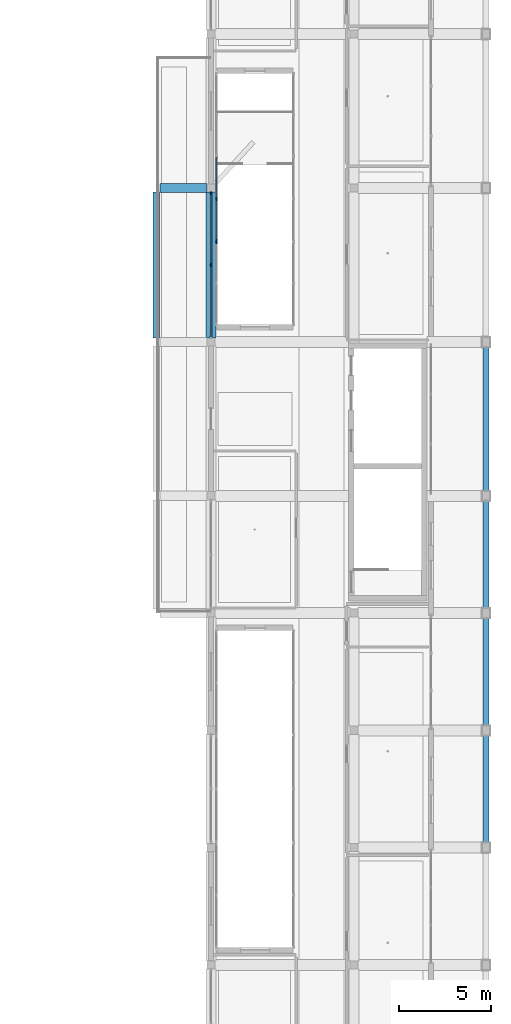
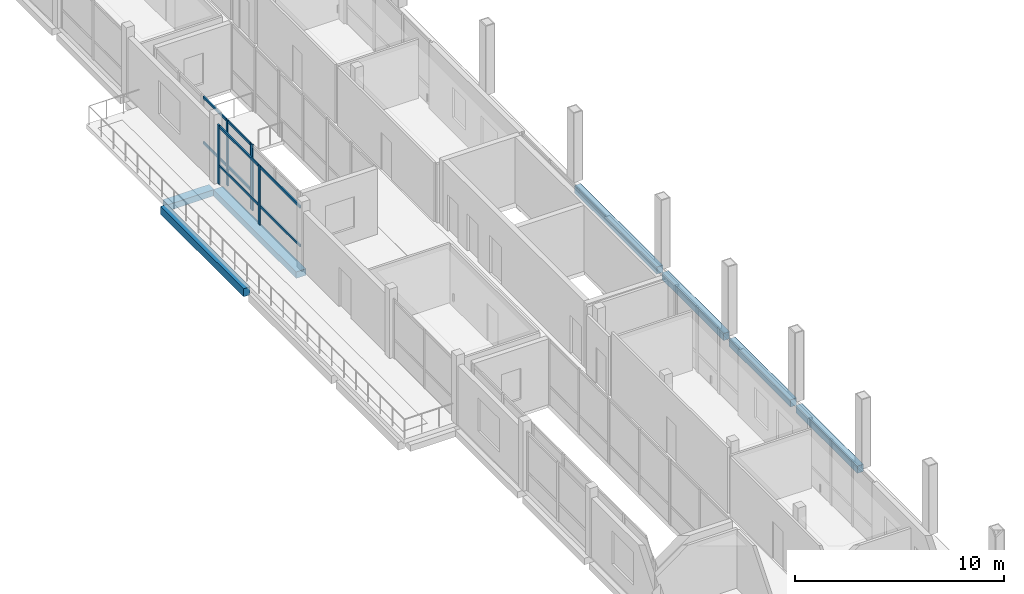
# One storey, part 12 of 48: 9 members, 7 beams, 3 elements without a shape of their own.
"""IFC4 building model written with IfcOpenShell, lengths in metres."""

from ifc_helpers import new_model, si_unit, derived_unit, direction, frame, origin, origin_2d, place, context, subcontext, project, spatial, rectangle, extrude, material, material_profile, profile_set, type_object, element, aggregate, save


model = new_model("IFC4")

# Units and contexts
model_context = context("Model", 3, precision=1e-05, world=origin(), true_north=direction((0.0, 1.0)))
body_context = subcontext(model_context, "Body", "Model", "MODEL_VIEW")
ifc_project = project(units=[si_unit("LENGTHUNIT", "METRE"), si_unit("AREAUNIT", "SQUARE_METRE"), si_unit("VOLUMEUNIT", "CUBIC_METRE"), si_unit("PLANEANGLEUNIT", "RADIAN"), si_unit("MASSUNIT", "GRAM", prefix="KILO"), derived_unit("THERMALTRANSMITTANCEUNIT", [(si_unit("POWERUNIT", "WATT"), 1), (si_unit("LENGTHUNIT", "METRE"), -2), (si_unit("THERMODYNAMICTEMPERATUREUNIT", "KELVIN"), -1)])], contexts=[model_context])

# Site, building, storey
site_placement = place(None, origin())
site = spatial("IfcSite", under=ifc_project, at=site_placement, CompositionType="ELEMENT")
building_placement = place(site_placement, origin())
building = spatial("IfcBuilding", under=site, at=building_placement, Name="Braskholm Square Health Centre", CompositionType="ELEMENT")
storey_placement = place(building_placement, frame((0.0, 0.0, 17.550048828125)))
storey = spatial("IfcBuildingStorey", under=building, at=storey_placement, Name="L05", CompositionType="ELEMENT", Elevation=17.550048828125)

# Curtain wall, members
ifc_material_1 = material(Name="Low-E triple insulating glass (VLT 0.64)", Category="glass")
curtain_wall_type_1 = type_object("IfcCurtainWallType", Name="UnitisedCurtainWall6200x3650", PredefinedType="NOTDEFINED", material=ifc_material_1)
curtain_wall_1_placement = place(storey_placement, origin())
curtain_wall_1 = element("IfcCurtainWall", 1, at=curtain_wall_1_placement, inside=storey, type_object=curtain_wall_type_1, Name="East Valley unitised curtain wall CW-L05-0141", PredefinedType="NOTDEFINED")
ifc_material_2 = material(Name="Architectural bronze anodised aluminium", Category="aluminium")
ifc_material_profile_1 = material_profile(ifc_material_2, rectangle(XDim=0.074951171875, YDim=0.179931640625, at=origin_2d()), Name="ALU-75X180")
ifc_profile_set_1 = profile_set([ifc_material_profile_1], Name="Architectural bronze anodised aluminium")
member_type_1 = type_object("IfcMemberType", Name="CurtainWallMullion75x180", PredefinedType="MULLION", material=ifc_profile_set_1)
member_1_placement = place(storey_placement, frame((148.800048828125, 71.91259765625, 0.0), z_axis=(0.0, 0.0, 1.0), x_axis=(1.0, 0.0, 0.0)))
member_1 = element("IfcMember", 2, at=member_1_placement, type_object=member_type_1, Name="CW-L05-0141 vertical mullion 1", PredefinedType="MULLION", context=body_context, shape_type="SweptSolid", body=[
    extrude(rectangle(XDim=0.074951171875, YDim=0.179931640625, at=origin_2d()), origin(), (0.0, 0.0, 1.0), 3.4599609375),
])
member_2_placement = place(storey_placement, frame((148.800048828125, 68.0, 0.0), z_axis=(0.0, 0.0, 1.0), x_axis=(1.0, 0.0, 0.0)))
member_2 = element("IfcMember", 3, at=member_2_placement, type_object=member_type_1, Name="CW-L05-0141 vertical mullion 2", PredefinedType="MULLION", context=body_context, shape_type="SweptSolid", body=[
    extrude(rectangle(XDim=0.074951171875, YDim=0.179931640625, at=origin_2d()), origin(), (0.0, 0.0, 1.0), 3.4599609375),
])

# Curtain wall, member
curtain_wall_type_2 = type_object("IfcCurtainWallType", Name="UnitisedCurtainWall4800x3800", PredefinedType="NOTDEFINED", material=ifc_material_1)
curtain_wall_2_placement = place(storey_placement, origin())
curtain_wall_2 = element("IfcCurtainWall", 4, at=curtain_wall_2_placement, inside=storey, type_object=curtain_wall_type_2, Name="EC2 Court W unitised curtain wall CW-L05-0375", PredefinedType="NOTDEFINED")
member_3_placement = place(storey_placement, frame((149.10009765625, 69.23486328125, 0.0), z_axis=(0.0, 0.0, 1.0), x_axis=(1.0, 0.0, 0.0)))
member_3 = element("IfcMember", 5, at=member_3_placement, type_object=member_type_1, Name="CW-L05-0375 vertical mullion 3", PredefinedType="MULLION", context=body_context, shape_type="SweptSolid", body=[
    extrude(rectangle(XDim=0.074951171875, YDim=0.179931640625, at=origin_2d()), origin(), (0.0, 0.0, 1.0), 3.83984375),
])
aggregate(curtain_wall_2, [member_3])

# Curtain wall, members
curtain_wall_3_placement = place(storey_placement, origin())
curtain_wall_3 = element("IfcCurtainWall", 6, at=curtain_wall_3_placement, inside=storey, type_object=curtain_wall_type_2, Name="EC2 Court W unitised curtain wall CW-L05-0377", PredefinedType="NOTDEFINED")
member_4_placement = place(storey_placement, frame((149.10009765625, 69.2998046875, 0.0), z_axis=(0.0, 0.0, 1.0), x_axis=(1.0, 0.0, 0.0)))
member_4 = element("IfcMember", 7, at=member_4_placement, type_object=member_type_1, Name="CW-L05-0377 vertical mullion 1", PredefinedType="MULLION", context=body_context, shape_type="SweptSolid", body=[
    extrude(rectangle(XDim=0.074951171875, YDim=0.179931640625, at=origin_2d()), origin(), (0.0, 0.0, 1.0), 3.83984375),
])
member_5_placement = place(storey_placement, frame((149.10009765625, 71.60009765625, 0.0), z_axis=(0.0, 0.0, 1.0), x_axis=(1.0, 0.0, 0.0)))
member_5 = element("IfcMember", 8, at=member_5_placement, type_object=member_type_1, Name="CW-L05-0377 vertical mullion 2", PredefinedType="MULLION", context=body_context, shape_type="SweptSolid", body=[
    extrude(rectangle(XDim=0.074951171875, YDim=0.179931640625, at=origin_2d()), origin(), (0.0, 0.0, 1.0), 3.83984375),
])

# Member
ifc_material_profile_2 = material_profile(ifc_material_2, rectangle(XDim=0.074951171875, YDim=0.139892578125, at=origin_2d()), Name="ALU-75X140")
ifc_profile_set_2 = profile_set([ifc_material_profile_2], Name="Architectural bronze anodised aluminium")
member_type_2 = type_object("IfcMemberType", Name="CurtainWallTransom75x140", PredefinedType="USERDEFINED", material=ifc_profile_set_2)
member_6_placement = place(storey_placement, frame((148.800048828125, 71.9150390625, 1.119873046875), z_axis=(0.0, -1.0, 0.0), x_axis=(1.0, 0.0, 0.0)))
member_6 = element("IfcMember", 9, at=member_6_placement, type_object=member_type_2, Name="CW-L05-0141 horizontal transom 1", ObjectType="TRANSOM", PredefinedType="USERDEFINED", context=body_context, shape_type="SweptSolid", body=[
    extrude(rectangle(XDim=0.074951171875, YDim=0.139892578125, at=origin_2d()), origin(), (0.0, 0.0, 1.0), 7.830078125),
])

member_7_placement = place(storey_placement, frame((148.800048828125, 71.9150390625, 3.389892578125), z_axis=(0.0, -1.0, 0.0), x_axis=(1.0, 0.0, 0.0)))
member_7 = element("IfcMember", 10, at=member_7_placement, type_object=member_type_2, Name="CW-L05-0141 horizontal transom 2", ObjectType="TRANSOM", PredefinedType="USERDEFINED", context=body_context, shape_type="SweptSolid", body=[
    extrude(rectangle(XDim=0.074951171875, YDim=0.139892578125, at=origin_2d()), origin(), (0.0, 0.0, 1.0), 7.830078125),
])

aggregate(curtain_wall_1, [member_1, member_2, member_6, member_7])

member_8_placement = place(storey_placement, frame((149.10009765625, 69.31689453125, 1.119873046875), z_axis=(0.0, 1.0, 0.0), x_axis=(-1.0, 0.0, 0.0)))
member_8 = element("IfcMember", 11, at=member_8_placement, type_object=member_type_2, Name="CW-L05-0377 horizontal transom 1", ObjectType="TRANSOM", PredefinedType="USERDEFINED", context=body_context, shape_type="SweptSolid", body=[
    extrude(rectangle(XDim=0.074951171875, YDim=0.139892578125, at=origin_2d()), origin(), (0.0, 0.0, 1.0), 4.566162109375),
])

member_9_placement = place(storey_placement, frame((149.10009765625, 69.31689453125, 3.77001953125), z_axis=(0.0, 1.0, 0.0), x_axis=(-1.0, 0.0, 0.0)))
member_9 = element("IfcMember", 12, at=member_9_placement, type_object=member_type_2, Name="CW-L05-0377 horizontal transom 2", ObjectType="TRANSOM", PredefinedType="USERDEFINED", context=body_context, shape_type="SweptSolid", body=[
    extrude(rectangle(XDim=0.074951171875, YDim=0.139892578125, at=origin_2d()), origin(), (0.0, 0.0, 1.0), 4.566162109375),
])

aggregate(curtain_wall_3, [member_4, member_5, member_8, member_9])

# Beams
ifc_material_3 = material(Name="Concrete C35/45 (f'c = 35 MPa)", Category="concrete")
ifc_material_profile_3 = material_profile(ifc_material_3, rectangle(XDim=0.5, YDim=0.360107421875, at=origin_2d()), Name="RCB-500X360")
ifc_profile_set_3 = profile_set([ifc_material_profile_3], Name="Concrete C35/45 (f'c = 35 MPa)")
beam_type_1 = type_object("IfcBeamType", Name="PrimaryBandBeam500x360", PredefinedType="BEAM", material=ifc_profile_set_3)
beam_1_placement = place(storey_placement, frame((146.02490234375, 72.199951171875, -0.4599609375), z_axis=(1.0, 0.0, 0.0), x_axis=(0.0, 1.0, 0.0)))
element("IfcBeam", 13, at=beam_1_placement, inside=storey, type_object=beam_type_1, Name="Beam 19-20/L L05", PredefinedType="BEAM", context=body_context, shape_type="SweptSolid", body=[
    extrude(rectangle(XDim=0.5, YDim=0.360107421875, at=origin_2d()), origin(), (0.0, 0.0, 1.0), 2.550048828125),
])
ifc_material_profile_4 = material_profile(ifc_material_3, rectangle(XDim=0.550048828125, YDim=0.3798828125, at=origin_2d()), Name="RCB-550X380")
ifc_profile_set_4 = profile_set([ifc_material_profile_4], Name="Concrete C35/45 (f'c = 35 MPa)")
beam_type_2 = type_object("IfcBeamType", Name="PrimaryBandBeam550x380", PredefinedType="BEAM", material=ifc_profile_set_4)
beam_2_placement = place(storey_placement, frame((148.800048828125, 64.02490234375, -0.469970703125), z_axis=(0.0, 1.0, 0.0), x_axis=(-1.0, 0.0, 0.0)))
element("IfcBeam", 14, at=beam_2_placement, inside=storey, type_object=beam_type_2, Name="Beam 20/K-L L05", PredefinedType="BEAM", context=body_context, shape_type="SweptSolid", body=[
    extrude(rectangle(XDim=0.550048828125, YDim=0.3798828125, at=origin_2d()), origin(), (0.0, 0.0, 1.0), 7.9501953125),
])
ifc_material_4 = material(Name="Precast concrete C40/50 architectural white", Category="concrete")
ifc_material_profile_5 = material_profile(ifc_material_4, rectangle(XDim=0.340087890625, YDim=0.419921875, at=origin_2d()), Name="RCB-340X420")
ifc_profile_set_5 = profile_set([ifc_material_profile_5], Name="Precast concrete C40/50 architectural white")
beam_type_3 = type_object("IfcBeamType", Name="SpandrelCrownEdge340x420", PredefinedType="SPANDREL", material=ifc_profile_set_5)
beam_3_placement = place(storey_placement, frame((163.800048828125, 36.4599609375, -0.420166015625), z_axis=(0.0, 1.0, 0.0), x_axis=(-1.0, 0.0, 0.0)))
element("IfcBeam", 15, at=beam_3_placement, inside=storey, type_object=beam_type_3, Name="Beam 22/F-G L05", PredefinedType="SPANDREL", context=body_context, shape_type="SweptSolid", body=[
    extrude(rectangle(XDim=0.340087890625, YDim=0.419921875, at=origin_2d()), origin(), (0.0, 0.0, 1.0), 5.880126953125),
])
for number, where, z_axis, x_axis, name in (
    (16, (163.800048828125, 42.860107421875, -0.420166015625), (0.0, 1.0, 0.0), (-1.0, 0.0, 0.0), "Beam 22/G-H L05"),
    (17, (163.800048828125, 49.260009765625, -0.420166015625), (0.0, 1.0, 0.0), (-1.0, 0.0, 0.0), "Beam 22/H-J L05"),
):
    element("IfcBeam", number, at=place(storey_placement, frame(where, z_axis=z_axis, x_axis=x_axis)), inside=storey, type_object=beam_type_3, Name=name, PredefinedType="SPANDREL", context=body_context, shape_type="SweptSolid", body=[
        extrude(rectangle(XDim=0.340087890625, YDim=0.419921875, at=origin_2d()), origin(), (0.0, 0.0, 1.0), 5.8798828125),
    ])
beam_4_placement = place(storey_placement, frame((163.800048828125, 55.659912109375, -0.420166015625), z_axis=(0.0, 1.0, 0.0), x_axis=(-1.0, 0.0, 0.0)))
element("IfcBeam", 18, at=beam_4_placement, inside=storey, type_object=beam_type_3, Name="Beam 22/J-K L05", PredefinedType="SPANDREL", context=body_context, shape_type="SweptSolid", body=[
    extrude(rectangle(XDim=0.340087890625, YDim=0.419921875, at=origin_2d()), origin(), (0.0, 0.0, 1.0), 7.880126953125),
])
ifc_material_profile_6 = material_profile(ifc_material_4, rectangle(XDim=0.360107421875, YDim=0.4599609375, at=origin_2d()), Name="RCB-360X460")
ifc_profile_set_6 = profile_set([ifc_material_profile_6], Name="Precast concrete C40/50 architectural white")
beam_type_4 = type_object("IfcBeamType", Name="SpandrelTerraceEdge360x460", PredefinedType="SPANDREL", material=ifc_profile_set_6)
beam_5_placement = place(storey_placement, frame((145.800048828125, 64.02490234375, -0.47998046875), z_axis=(0.0, 1.0, 0.0), x_axis=(-1.0, 0.0, 0.0)))
element("IfcBeam", 19, at=beam_5_placement, inside=storey, type_object=beam_type_4, Name="Beam 19/K-L L05", PredefinedType="SPANDREL", context=body_context, shape_type="SweptSolid", body=[
    extrude(rectangle(XDim=0.360107421875, YDim=0.4599609375, at=origin_2d()), origin(), (0.0, 0.0, 1.0), 7.9501953125),
])

save(model, "model.ifc")
